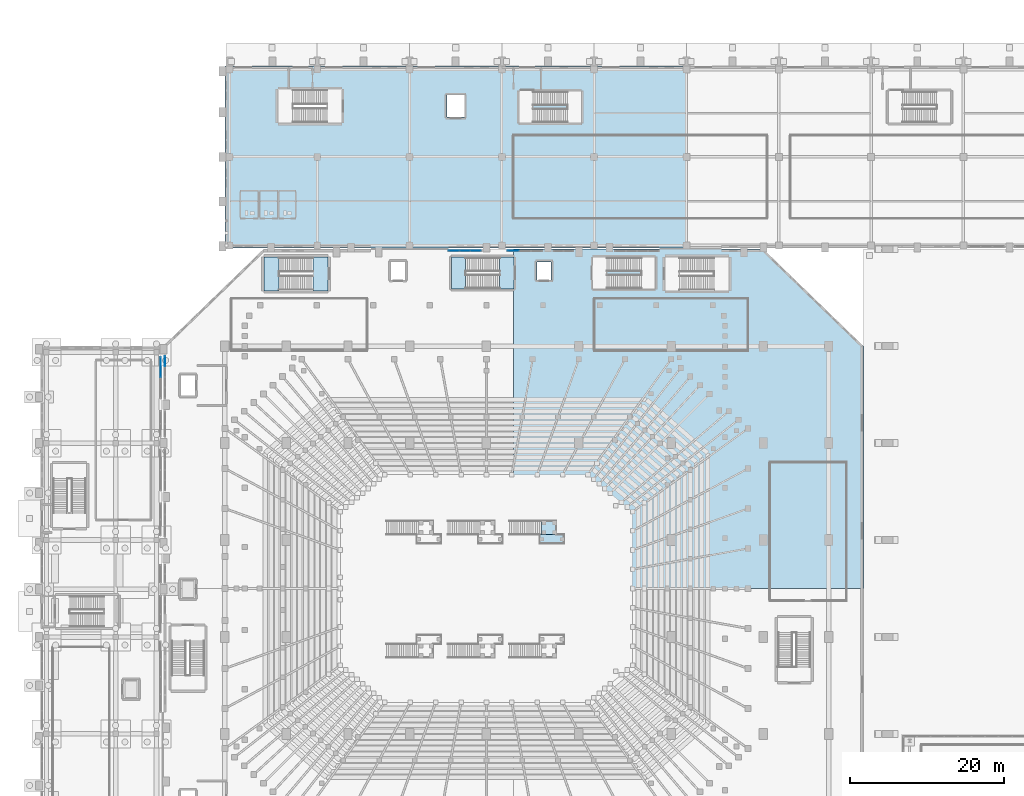
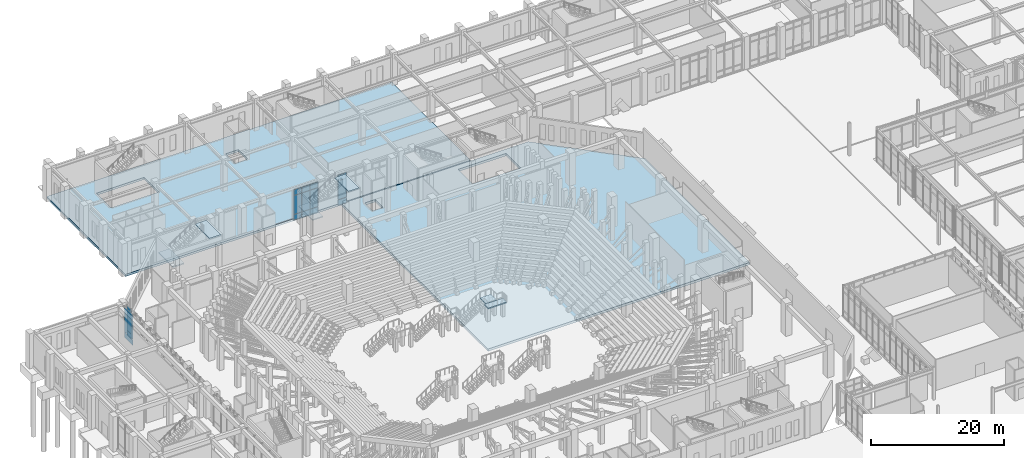
# One storey, part 85 of 143: 18 plates, 8 slabs, 7 elements without a shape of their own.
"""IFC4 building model written with IfcOpenShell, lengths in metres."""

from ifc_helpers import new_model, si_unit, derived_unit, direction, frame, origin, origin_2d, place, context, subcontext, project, spatial, polyline, rectangle, outline, extrude, material, layer, layer_set, type_object, element, aggregate, save


model = new_model("IFC4")

# Units and contexts
model_context = context("Model", 3, precision=1e-05, world=origin(), true_north=direction((0.0, 1.0)))
body_context = subcontext(model_context, "Body", "Model", "MODEL_VIEW")
ifc_project = project(units=[si_unit("LENGTHUNIT", "METRE"), si_unit("AREAUNIT", "SQUARE_METRE"), si_unit("VOLUMEUNIT", "CUBIC_METRE"), si_unit("PLANEANGLEUNIT", "RADIAN"), si_unit("MASSUNIT", "GRAM", prefix="KILO"), derived_unit("THERMALTRANSMITTANCEUNIT", [(si_unit("MASSUNIT", "GRAM", prefix="KILO"), 1), (si_unit("TIMEUNIT", "SECOND"), -3), (si_unit("THERMODYNAMICTEMPERATUREUNIT", "KELVIN"), -1)])], contexts=[model_context])

# Site, building, storey
site_placement = place(None, origin())
site = spatial("IfcSite", under=ifc_project, at=site_placement, CompositionType="ELEMENT")
building_placement = place(site_placement, origin())
building = spatial("IfcBuilding", under=site, at=building_placement, Name="Valcora Ridge Arena", CompositionType="ELEMENT")
storey_placement = place(building_placement, origin())
storey = spatial("IfcBuildingStorey", under=building, at=storey_placement, Name="L00", CompositionType="ELEMENT", Elevation=0.0)

# Stair, slabs
ifc_material_1 = material(Name="Concrete C40/50", Category="concrete")
stair_type_1 = type_object("IfcStairType", Name="TY-STAIR-ES03-60", PredefinedType="HALF_TURN_STAIR", material=ifc_material_1)
stair_1_placement = place(storey_placement, origin())
stair_1 = element("IfcStair", 1, at=stair_1_placement, inside=storey, type_object=stair_type_1, Name="ES03-60 STR-ES-0009", PredefinedType="HALF_TURN_STAIR")
ifc_layer_1 = layer(ifc_material_1, 0.199951171875, Name="Concrete C40/50")
ifc_layer_set_1 = layer_set([ifc_layer_1], Name="Concrete C40/50")
slab_type_1 = type_object("IfcSlabType", Name="TY-LAND-ES03-60", PredefinedType="LANDING", material=ifc_layer_set_1)
slab_1_placement = place(storey_placement, frame((0.0, 0.0, 2.800048828125)))
slab_1 = element("IfcSlab", 2, at=slab_1_placement, type_object=slab_type_1, Name="ES03-60 landing 1", PredefinedType="LANDING", context=body_context, shape_type="SweptSolid", body=[
    extrude(outline(polyline([(53.44189453125, 103.001953125), (55.280029296875, 103.001953125), (55.280029296875, 107.197998046875), (53.44189453125, 107.197998046875), (53.44189453125, 103.001953125)])), origin(), (0.0, 0.0, 1.0), 0.199951171875),
])
slab_2_placement = place(storey_placement, frame((0.0, 0.0, 5.800048828125)))
slab_2 = element("IfcSlab", 3, at=slab_2_placement, type_object=slab_type_1, Name="ES03-60 landing 2", PredefinedType="LANDING", context=body_context, shape_type="SweptSolid", body=[
    extrude(outline(polyline([(59.719970703125, 103.001953125), (61.597900390625, 103.001953125), (61.597900390625, 107.197998046875), (59.719970703125, 107.197998046875), (59.719970703125, 103.001953125)])), origin(), (0.0, 0.0, 1.0), 0.199951171875),
])
aggregate(stair_1, [slab_1, slab_2])

stair_type_2 = type_object("IfcStairType", Name="TY-STAIR-ST03-60", PredefinedType="HALF_TURN_STAIR", material=ifc_material_1)
stair_2_placement = place(storey_placement, origin())
stair_2 = element("IfcStair", 4, at=stair_2_placement, inside=storey, type_object=stair_type_2, Name="ST03-60 STR-CR-0013", PredefinedType="HALF_TURN_STAIR")
ifc_layer_2 = layer(ifc_material_1, 0.199951171875, Name="Concrete C40/50")
ifc_layer_set_2 = layer_set([ifc_layer_2], Name="Concrete C40/50")
slab_type_2 = type_object("IfcSlabType", Name="TY-LAND-ST03-60", PredefinedType="LANDING", material=ifc_layer_set_2)
slab_3_placement = place(storey_placement, frame((0.0, 0.0, 2.800048828125)))
slab_3 = element("IfcSlab", 5, at=slab_3_placement, type_object=slab_type_2, Name="ST03-60 landing 1", PredefinedType="LANDING", context=body_context, shape_type="SweptSolid", body=[
    extrude(outline(polyline([(29.08203125, 102.802001953125), (31.030029296875, 102.802001953125), (31.030029296875, 107.197998046875), (29.08203125, 107.197998046875), (29.08203125, 102.802001953125)])), origin(), (0.0, 0.0, 1.0), 0.199951171875),
])
slab_4_placement = place(storey_placement, frame((0.0, 0.0, 5.800048828125)))
slab_4 = element("IfcSlab", 6, at=slab_4_placement, type_object=slab_type_2, Name="ST03-60 landing 2", PredefinedType="LANDING", context=body_context, shape_type="SweptSolid", body=[
    extrude(outline(polyline([(35.469970703125, 102.802001953125), (37.39794921875, 102.802001953125), (37.39794921875, 107.197998046875), (35.469970703125, 107.197998046875), (35.469970703125, 102.802001953125)])), origin(), (0.0, 0.0, 1.0), 0.199951171875),
])
aggregate(stair_2, [slab_3, slab_4])

# Stair, slab
stair_type_3 = type_object("IfcStairType", Name="TY-STAIR-VS-LOW-280", PredefinedType="STRAIGHT_RUN_STAIR", material=ifc_material_1)
stair_3_placement = place(storey_placement, origin())
stair_3 = element("IfcStair", 7, at=stair_3_placement, inside=storey, type_object=stair_type_3, Name="Vomitory Stair VS-ST6 (VS-LOW-280)", PredefinedType="STRAIGHT_RUN_STAIR")
ifc_layer_3 = layer(ifc_material_1, 0.199951171875, Name="Concrete C40/50")
ifc_layer_set_3 = layer_set([ifc_layer_3], Name="Concrete C40/50")
slab_type_3 = type_object("IfcSlabType", Name="TY-LAND-VS-LOW", PredefinedType="LANDING", material=ifc_layer_set_3)
slab_5_placement = place(storey_placement, frame((0.0, 0.0, 2.60009765625)))
slab_5 = element("IfcSlab", 8, at=slab_5_placement, type_object=slab_type_3, Name="VS-LOW-280 landing 1", PredefinedType="LANDING", context=body_context, shape_type="SweptSolid", body=[
    extrude(outline(polyline([(65.179931640625, 71.10009765625), (67.10009765625, 71.10009765625), (67.10009765625, 72.89990234375), (65.179931640625, 72.89990234375), (65.179931640625, 71.10009765625)])), origin(), (0.0, 0.0, 1.0), 0.199951171875),
])
aggregate(stair_3, [slab_5])

# Curtain wall, plates
ifc_material_2 = material(Name="Anodised dark bronze architectural aluminium 6063-T6", Category="aluminium")
ifc_layer_4 = layer(ifc_material_2, 0.179931640625, Name="Anodised dark bronze architectural aluminium 6063-T6")
ifc_layer_set_4 = layer_set([ifc_layer_4], Name="Anodised dark bronze architectural aluminium 6063-T6")
curtain_wall_type_1 = type_object("IfcCurtainWallType", Name="TY-CURTAINWALL-CW-V1-GOTH-055X56", PredefinedType="NOTDEFINED", material=ifc_layer_set_4)
curtain_wall_1_placement = place(storey_placement, origin())
curtain_wall_1 = element("IfcCurtainWall", 9, at=curtain_wall_1_placement, inside=storey, type_object=curtain_wall_type_1, Name="CW-V1-GOTH-055X56 CW-0087", PredefinedType="NOTDEFINED")
ifc_material_3 = material(Name="Low-iron solar-control double glazing SHGC 0.28", Category="glass")
ifc_layer_5 = layer(ifc_material_3, 0.031982421875, Name="Low-iron solar-control double glazing SHGC 0.28")
ifc_layer_set_5 = layer_set([ifc_layer_5], Name="Low-iron solar-control double glazing SHGC 0.28")
plate_type_1 = type_object("IfcPlateType", Name="TY-PLT-CWP-1290X0960", PredefinedType="CURTAIN_PANEL", material=ifc_layer_set_5)
plate_1_placement = place(storey_placement, frame((16.199951171875, 93.655029296875, 0.06005859375), z_axis=(0.0, 0.0, 1.0), x_axis=(0.0, 1.0, 0.0)))
plate_1 = element("IfcPlate", 10, at=plate_1_placement, type_object=plate_type_1, Name="CW-0087/P03-00", PredefinedType="CURTAIN_PANEL", context=body_context, shape_type="SweptSolid", body=[
    extrude(rectangle(XDim=1.2900390625, YDim=0.031982421875, at=origin_2d()), origin(), (0.0, 0.0, 1.0), 0.9599609375),
])
ifc_layer_6 = layer(ifc_material_3, 0.031982421875, Name="Low-iron solar-control double glazing SHGC 0.28")
ifc_layer_set_6 = layer_set([ifc_layer_6], Name="Low-iron solar-control double glazing SHGC 0.28")
plate_type_2 = type_object("IfcPlateType", Name="TY-PLT-CWP-1290X1010", PredefinedType="CURTAIN_PANEL", material=ifc_layer_set_6)
plate_2_placement = place(storey_placement, frame((16.199951171875, 93.655029296875, 4.56982421875), z_axis=(0.0, 0.0, 1.0), x_axis=(0.0, 1.0, 0.0)))
plate_2 = element("IfcPlate", 11, at=plate_2_placement, type_object=plate_type_2, Name="CW-0087/P03-02", PredefinedType="CURTAIN_PANEL", context=body_context, shape_type="SweptSolid", body=[
    extrude(rectangle(XDim=1.2900390625, YDim=0.031982421875, at=origin_2d()), origin(), (0.0, 0.0, 1.0), 1.010009765625),
])
ifc_layer_7 = layer(ifc_material_3, 0.031982421875, Name="Low-iron solar-control double glazing SHGC 0.28")
ifc_layer_set_7 = layer_set([ifc_layer_7], Name="Low-iron solar-control double glazing SHGC 0.28")
plate_type_3 = type_object("IfcPlateType", Name="TY-PLT-CWP-1290X3430", PredefinedType="CURTAIN_PANEL", material=ifc_layer_set_7)
plate_3_placement = place(storey_placement, frame((16.199951171875, 93.655029296875, 1.080078125), z_axis=(0.0, 0.0, 1.0), x_axis=(0.0, 1.0, 0.0)))
plate_3 = element("IfcPlate", 12, at=plate_3_placement, type_object=plate_type_3, Name="CW-0087/P03-01", PredefinedType="CURTAIN_PANEL", context=body_context, shape_type="SweptSolid", body=[
    extrude(rectangle(XDim=1.2900390625, YDim=0.031982421875, at=origin_2d()), origin(), (0.0, 0.0, 1.0), 3.429931640625),
])
aggregate(curtain_wall_1, [plate_1, plate_3, plate_2])

ifc_layer_8 = layer(ifc_material_2, 0.179931640625, Name="Anodised dark bronze architectural aluminium 6063-T6")
ifc_layer_set_8 = layer_set([ifc_layer_8], Name="Anodised dark bronze architectural aluminium 6063-T6")
curtain_wall_type_2 = type_object("IfcCurtainWallType", Name="TY-CURTAINWALL-CW-V1-GOTH-043X56", PredefinedType="NOTDEFINED", material=ifc_layer_set_8)
curtain_wall_2_placement = place(storey_placement, origin())
curtain_wall_2 = element("IfcCurtainWall", 13, at=curtain_wall_2_placement, inside=storey, type_object=curtain_wall_type_2, Name="CW-V1-GOTH-043X56 CW-0088", PredefinedType="NOTDEFINED")
ifc_layer_9 = layer(ifc_material_3, 0.031982421875, Name="Low-iron solar-control double glazing SHGC 0.28")
ifc_layer_set_9 = layer_set([ifc_layer_9], Name="Low-iron solar-control double glazing SHGC 0.28")
plate_type_4 = type_object("IfcPlateType", Name="TY-PLT-CWP-1330X0960", PredefinedType="CURTAIN_PANEL", material=ifc_layer_set_9)
plate_4_placement = place(storey_placement, frame((53.77490234375, 108.0, 0.06005859375), z_axis=(0.0, 0.0, 1.0), x_axis=(1.0, 0.0, 0.0)))
plate_4 = element("IfcPlate", 14, at=plate_4_placement, type_object=plate_type_4, Name="CW-0088/P00-00", PredefinedType="CURTAIN_PANEL", context=body_context, shape_type="SweptSolid", body=[
    extrude(rectangle(XDim=1.330078125, YDim=0.031982421875, at=origin_2d()), origin(), (0.0, 0.0, 1.0), 0.9599609375),
])
plate_5_placement = place(storey_placement, frame((56.5849609375, 108.0, 0.06005859375), z_axis=(0.0, 0.0, 1.0), x_axis=(1.0, 0.0, 0.0)))
plate_5 = element("IfcPlate", 15, at=plate_5_placement, type_object=plate_type_4, Name="CW-0088/P02-00", PredefinedType="CURTAIN_PANEL", context=body_context, shape_type="SweptSolid", body=[
    extrude(rectangle(XDim=1.330078125, YDim=0.031982421875, at=origin_2d()), origin(), (0.0, 0.0, 1.0), 0.9599609375),
])
ifc_layer_10 = layer(ifc_material_3, 0.031982421875, Name="Low-iron solar-control double glazing SHGC 0.28")
ifc_layer_set_10 = layer_set([ifc_layer_10], Name="Low-iron solar-control double glazing SHGC 0.28")
plate_type_5 = type_object("IfcPlateType", Name="TY-PLT-CWP-1330X1010", PredefinedType="CURTAIN_PANEL", material=ifc_layer_set_10)
plate_6_placement = place(storey_placement, frame((53.77490234375, 108.0, 4.56982421875), z_axis=(0.0, 0.0, 1.0), x_axis=(1.0, 0.0, 0.0)))
plate_6 = element("IfcPlate", 16, at=plate_6_placement, type_object=plate_type_5, Name="CW-0088/P00-02", PredefinedType="CURTAIN_PANEL", context=body_context, shape_type="SweptSolid", body=[
    extrude(rectangle(XDim=1.330078125, YDim=0.031982421875, at=origin_2d()), origin(), (0.0, 0.0, 1.0), 1.010009765625),
])
plate_7_placement = place(storey_placement, frame((56.5849609375, 108.0, 4.56982421875), z_axis=(0.0, 0.0, 1.0), x_axis=(1.0, 0.0, 0.0)))
plate_7 = element("IfcPlate", 17, at=plate_7_placement, type_object=plate_type_5, Name="CW-0088/P02-02", PredefinedType="CURTAIN_PANEL", context=body_context, shape_type="SweptSolid", body=[
    extrude(rectangle(XDim=1.330078125, YDim=0.031982421875, at=origin_2d()), origin(), (0.0, 0.0, 1.0), 1.010009765625),
])
ifc_layer_11 = layer(ifc_material_3, 0.031982421875, Name="Low-iron solar-control double glazing SHGC 0.28")
ifc_layer_set_11 = layer_set([ifc_layer_11], Name="Low-iron solar-control double glazing SHGC 0.28")
plate_type_6 = type_object("IfcPlateType", Name="TY-PLT-CWP-1330X3430", PredefinedType="CURTAIN_PANEL", material=ifc_layer_set_11)
plate_8_placement = place(storey_placement, frame((53.77490234375, 108.0, 1.080078125), z_axis=(0.0, 0.0, 1.0), x_axis=(1.0, 0.0, 0.0)))
plate_8 = element("IfcPlate", 18, at=plate_8_placement, type_object=plate_type_6, Name="CW-0088/P00-01", PredefinedType="CURTAIN_PANEL", context=body_context, shape_type="SweptSolid", body=[
    extrude(rectangle(XDim=1.330078125, YDim=0.031982421875, at=origin_2d()), origin(), (0.0, 0.0, 1.0), 3.429931640625),
])
plate_9_placement = place(storey_placement, frame((56.5849609375, 108.0, 1.080078125), z_axis=(0.0, 0.0, 1.0), x_axis=(1.0, 0.0, 0.0)))
plate_9 = element("IfcPlate", 19, at=plate_9_placement, type_object=plate_type_6, Name="CW-0088/P02-01", PredefinedType="CURTAIN_PANEL", context=body_context, shape_type="SweptSolid", body=[
    extrude(rectangle(XDim=1.330078125, YDim=0.031982421875, at=origin_2d()), origin(), (0.0, 0.0, 1.0), 3.429931640625),
])
ifc_layer_12 = layer(ifc_material_3, 0.031982421875, Name="Low-iron solar-control double glazing SHGC 0.28")
ifc_layer_set_12 = layer_set([ifc_layer_12], Name="Low-iron solar-control double glazing SHGC 0.28")
plate_type_7 = type_object("IfcPlateType", Name="TY-PLT-CWP-1360X0960", PredefinedType="CURTAIN_PANEL", material=ifc_layer_set_12)
plate_10_placement = place(storey_placement, frame((55.179931640625, 108.0, 0.06005859375), z_axis=(0.0, 0.0, 1.0), x_axis=(1.0, 0.0, 0.0)))
plate_10 = element("IfcPlate", 20, at=plate_10_placement, type_object=plate_type_7, Name="CW-0088/P01-00", PredefinedType="CURTAIN_PANEL", context=body_context, shape_type="SweptSolid", body=[
    extrude(rectangle(XDim=1.360107421875, YDim=0.031982421875, at=origin_2d()), origin(), (0.0, 0.0, 1.0), 0.9599609375),
])
ifc_layer_13 = layer(ifc_material_3, 0.031982421875, Name="Low-iron solar-control double glazing SHGC 0.28")
ifc_layer_set_13 = layer_set([ifc_layer_13], Name="Low-iron solar-control double glazing SHGC 0.28")
plate_type_8 = type_object("IfcPlateType", Name="TY-PLT-CWP-1360X1010", PredefinedType="CURTAIN_PANEL", material=ifc_layer_set_13)
plate_11_placement = place(storey_placement, frame((55.179931640625, 108.0, 4.56982421875), z_axis=(0.0, 0.0, 1.0), x_axis=(1.0, 0.0, 0.0)))
plate_11 = element("IfcPlate", 21, at=plate_11_placement, type_object=plate_type_8, Name="CW-0088/P01-02", PredefinedType="CURTAIN_PANEL", context=body_context, shape_type="SweptSolid", body=[
    extrude(rectangle(XDim=1.360107421875, YDim=0.031982421875, at=origin_2d()), origin(), (0.0, 0.0, 1.0), 1.010009765625),
])
ifc_layer_14 = layer(ifc_material_3, 0.031982421875, Name="Low-iron solar-control double glazing SHGC 0.28")
ifc_layer_set_14 = layer_set([ifc_layer_14], Name="Low-iron solar-control double glazing SHGC 0.28")
plate_type_9 = type_object("IfcPlateType", Name="TY-PLT-CWP-1360X3430", PredefinedType="CURTAIN_PANEL", material=ifc_layer_set_14)
plate_12_placement = place(storey_placement, frame((55.179931640625, 108.0, 1.080078125), z_axis=(0.0, 0.0, 1.0), x_axis=(1.0, 0.0, 0.0)))
plate_12 = element("IfcPlate", 22, at=plate_12_placement, type_object=plate_type_9, Name="CW-0088/P01-01", PredefinedType="CURTAIN_PANEL", context=body_context, shape_type="SweptSolid", body=[
    extrude(rectangle(XDim=1.360107421875, YDim=0.031982421875, at=origin_2d()), origin(), (0.0, 0.0, 1.0), 3.429931640625),
])
aggregate(curtain_wall_2, [plate_4, plate_8, plate_6, plate_10, plate_12, plate_11, plate_5, plate_9, plate_7])

ifc_layer_15 = layer(ifc_material_2, 0.179931640625, Name="Anodised dark bronze architectural aluminium 6063-T6")
ifc_layer_set_15 = layer_set([ifc_layer_15], Name="Anodised dark bronze architectural aluminium 6063-T6")
curtain_wall_type_3 = type_object("IfcCurtainWallType", Name="TY-CURTAINWALL-CW-V1-GOTH-046X56", PredefinedType="NOTDEFINED", material=ifc_layer_set_15)
curtain_wall_3_placement = place(storey_placement, origin())
curtain_wall_3 = element("IfcCurtainWall", 23, at=curtain_wall_3_placement, inside=storey, type_object=curtain_wall_type_3, Name="CW-V1-GOTH-046X56 CW-0089", PredefinedType="NOTDEFINED")
ifc_layer_16 = layer(ifc_material_3, 0.031982421875, Name="Low-iron solar-control double glazing SHGC 0.28")
ifc_layer_set_16 = layer_set([ifc_layer_16], Name="Low-iron solar-control double glazing SHGC 0.28")
plate_type_10 = type_object("IfcPlateType", Name="TY-PLT-CWP-1450X0960", PredefinedType="CURTAIN_PANEL", material=ifc_layer_set_16)
plate_13_placement = place(storey_placement, frame((61.47509765625, 108.0, 0.06005859375), z_axis=(0.0, 0.0, 1.0), x_axis=(1.0, 0.0, 0.0)))
plate_13 = element("IfcPlate", 24, at=plate_13_placement, type_object=plate_type_10, Name="CW-0089/P00-00", PredefinedType="CURTAIN_PANEL", context=body_context, shape_type="SweptSolid", body=[
    extrude(rectangle(XDim=1.449951171875, YDim=0.031982421875, at=origin_2d()), origin(), (0.0, 0.0, 1.0), 0.9599609375),
])
ifc_layer_17 = layer(ifc_material_3, 0.031982421875, Name="Low-iron solar-control double glazing SHGC 0.28")
ifc_layer_set_17 = layer_set([ifc_layer_17], Name="Low-iron solar-control double glazing SHGC 0.28")
plate_type_11 = type_object("IfcPlateType", Name="TY-PLT-CWP-1450X1010", PredefinedType="CURTAIN_PANEL", material=ifc_layer_set_17)
plate_14_placement = place(storey_placement, frame((61.47509765625, 108.0, 4.56982421875), z_axis=(0.0, 0.0, 1.0), x_axis=(1.0, 0.0, 0.0)))
plate_14 = element("IfcPlate", 25, at=plate_14_placement, type_object=plate_type_11, Name="CW-0089/P00-02", PredefinedType="CURTAIN_PANEL", context=body_context, shape_type="SweptSolid", body=[
    extrude(rectangle(XDim=1.449951171875, YDim=0.031982421875, at=origin_2d()), origin(), (0.0, 0.0, 1.0), 1.010009765625),
])
ifc_layer_18 = layer(ifc_material_3, 0.031982421875, Name="Low-iron solar-control double glazing SHGC 0.28")
ifc_layer_set_18 = layer_set([ifc_layer_18], Name="Low-iron solar-control double glazing SHGC 0.28")
plate_type_12 = type_object("IfcPlateType", Name="TY-PLT-CWP-1450X3430", PredefinedType="CURTAIN_PANEL", material=ifc_layer_set_18)
plate_15_placement = place(storey_placement, frame((61.47509765625, 108.0, 1.080078125), z_axis=(0.0, 0.0, 1.0), x_axis=(1.0, 0.0, 0.0)))
plate_15 = element("IfcPlate", 26, at=plate_15_placement, type_object=plate_type_12, Name="CW-0089/P00-01", PredefinedType="CURTAIN_PANEL", context=body_context, shape_type="SweptSolid", body=[
    extrude(rectangle(XDim=1.449951171875, YDim=0.031982421875, at=origin_2d()), origin(), (0.0, 0.0, 1.0), 3.429931640625),
])
aggregate(curtain_wall_3, [plate_13, plate_15, plate_14])

ifc_layer_19 = layer(ifc_material_2, 0.14990234375, Name="Anodised dark bronze architectural aluminium 6063-T6")
ifc_layer_set_19 = layer_set([ifc_layer_19], Name="Anodised dark bronze architectural aluminium 6063-T6")
curtain_wall_type_4 = type_object("IfcCurtainWallType", Name="TY-CURTAINWALL-CW-V4-CLUB-054X56", PredefinedType="NOTDEFINED", material=ifc_layer_set_19)
curtain_wall_4_placement = place(storey_placement, origin())
curtain_wall_4 = element("IfcCurtainWall", 27, at=curtain_wall_4_placement, inside=storey, type_object=curtain_wall_type_4, Name="CW-V4-CLUB-054X56 CW-0203", PredefinedType="NOTDEFINED")
ifc_layer_20 = layer(ifc_material_3, 0.028076171875, Name="Low-iron solar-control double glazing SHGC 0.28")
ifc_layer_set_20 = layer_set([ifc_layer_20], Name="Low-iron solar-control double glazing SHGC 0.28")
plate_type_13 = type_object("IfcPlateType", Name="TY-PLT-CWP-2610X0975", PredefinedType="CURTAIN_PANEL", material=ifc_layer_set_20)
plate_16_placement = place(storey_placement, frame((15.64990234375, 92.85498046875, 0.050048828125), z_axis=(0.0, 0.0, 1.0), x_axis=(0.0, 1.0, 0.0)))
plate_16 = element("IfcPlate", 28, at=plate_16_placement, type_object=plate_type_13, Name="CW-0203/P01-00", PredefinedType="CURTAIN_PANEL", context=body_context, shape_type="SweptSolid", body=[
    extrude(rectangle(XDim=2.610107421875, YDim=0.028076171875, at=origin_2d()), origin(), (0.0, 0.0, 1.0), 0.97509765625),
])
ifc_layer_21 = layer(ifc_material_3, 0.028076171875, Name="Low-iron solar-control double glazing SHGC 0.28")
ifc_layer_set_21 = layer_set([ifc_layer_21], Name="Low-iron solar-control double glazing SHGC 0.28")
plate_type_14 = type_object("IfcPlateType", Name="TY-PLT-CWP-2610X1025", PredefinedType="CURTAIN_PANEL", material=ifc_layer_set_21)
plate_17_placement = place(storey_placement, frame((15.64990234375, 92.85498046875, 4.56494140625), z_axis=(0.0, 0.0, 1.0), x_axis=(0.0, 1.0, 0.0)))
plate_17 = element("IfcPlate", 29, at=plate_17_placement, type_object=plate_type_14, Name="CW-0203/P01-02", PredefinedType="CURTAIN_PANEL", context=body_context, shape_type="SweptSolid", body=[
    extrude(rectangle(XDim=2.610107421875, YDim=0.028076171875, at=origin_2d()), origin(), (0.0, 0.0, 1.0), 1.02490234375),
])
ifc_layer_22 = layer(ifc_material_3, 0.028076171875, Name="Low-iron solar-control double glazing SHGC 0.28")
ifc_layer_set_22 = layer_set([ifc_layer_22], Name="Low-iron solar-control double glazing SHGC 0.28")
plate_type_15 = type_object("IfcPlateType", Name="TY-PLT-CWP-2610X3440", PredefinedType="CURTAIN_PANEL", material=ifc_layer_set_22)
plate_18_placement = place(storey_placement, frame((15.64990234375, 92.85498046875, 1.074951171875), z_axis=(0.0, 0.0, 1.0), x_axis=(0.0, 1.0, 0.0)))
plate_18 = element("IfcPlate", 30, at=plate_18_placement, type_object=plate_type_15, Name="CW-0203/P01-01", PredefinedType="CURTAIN_PANEL", context=body_context, shape_type="SweptSolid", body=[
    extrude(rectangle(XDim=2.610107421875, YDim=0.028076171875, at=origin_2d()), origin(), (0.0, 0.0, 1.0), 3.43994140625),
])
aggregate(curtain_wall_4, [plate_16, plate_18, plate_17])

# Slabs
ifc_layer_23 = layer(ifc_material_1, 0.39990234375, Name="Concrete C40/50")
ifc_layer_set_23 = layer_set([ifc_layer_23], Name="Concrete C40/50")
slab_type_4 = type_object("IfcSlabType", Name="TY-SLAB-SL-DCK-400-W", PredefinedType="FLOOR", material=ifc_layer_set_23)
slab_6_placement = place(storey_placement, frame((0.0, 0.0, -0.39990234375)))
element("IfcSlab", 31, at=slab_6_placement, inside=storey, type_object=slab_type_4, Name="SL-DCK-400-W SLB-0017", PredefinedType="FLOOR", context=body_context, shape_type="SweptSolid", body=[
    extrude(outline(polyline([(24.0, 132.0), (24.0, 108.35009765625), (84.0, 108.35009765625), (84.0, 132.0), (24.0, 132.0)]), holes=[polyline([(30.8798828125, 129.0), (30.8798828125, 124.60009765625), (39.199951171875, 124.60009765625), (39.199951171875, 129.0), (30.8798828125, 129.0)]), polyline([(52.8798828125, 128.219970703125), (52.8798828125, 125.3798828125), (55.1201171875, 125.3798828125), (55.1201171875, 128.219970703125), (52.8798828125, 128.219970703125)])]), origin(), (0.0, 0.0, 1.0), 0.39990234375),
])
ifc_layer_24 = layer(ifc_material_1, 0.43994140625, Name="Concrete C40/50")
ifc_layer_set_24 = layer_set([ifc_layer_24], Name="Concrete C40/50")
slab_type_5 = type_object("IfcSlabType", Name="TY-SLAB-SL-EVT-380-NE", PredefinedType="FLOOR", material=ifc_layer_set_24)
slab_7_placement = place(storey_placement, frame((0.0, 0.0, -0.43994140625)))
element("IfcSlab", 32, at=slab_7_placement, inside=storey, type_object=slab_type_5, Name="SL-EVT-380-NE SLB-0014", PredefinedType="FLOOR", context=body_context, shape_type="SweptSolid", body=[
    extrude(outline(polyline([(94.0, 108.199951171875), (61.5, 108.199951171875), (61.5, 64.10009765625), (107.0, 64.10009765625), (107.0, 95.60009765625), (94.0, 108.199951171875)]), holes=[polyline([(89.52001953125, 102.800048828125), (89.52001953125, 107.199951171875), (81.199951171875, 107.199951171875), (81.199951171875, 102.800048828125), (89.52001953125, 102.800048828125)]), polyline([(64.580078125, 106.570068359375), (64.580078125, 104.22998046875), (66.419921875, 104.22998046875), (66.419921875, 106.570068359375), (64.580078125, 106.570068359375)])]), origin(), (0.0, 0.0, 1.0), 0.43994140625),
])
ifc_material_4 = material(Name="Precast concrete C45/55", Category="concrete")
ifc_layer_25 = layer(ifc_material_4, 0.199951171875, Name="Precast concrete C45/55")
ifc_layer_set_25 = layer_set([ifc_layer_25], Name="Precast concrete C45/55")
slab_type_6 = type_object("IfcSlabType", Name="TY-SLAB-ST-LOW-VOM", PredefinedType="USERDEFINED", material=ifc_layer_set_25)
slab_8_placement = place(storey_placement, frame((0.0, 0.0, 2.60009765625)))
element("IfcSlab", 33, at=slab_8_placement, inside=storey, type_object=slab_type_6, Name="ST-LOW-VOM SLB-TR-0598", ObjectType="SEATING TIER", PredefinedType="USERDEFINED", context=body_context, shape_type="SweptSolid", body=[
    extrude(outline(polyline([(64.89990234375, 69.89990234375), (68.10009765625, 69.89990234375), (68.10009765625, 71.10009765625), (64.89990234375, 71.10009765625), (64.89990234375, 69.89990234375)])), origin(), (0.0, 0.0, 1.0), 0.199951171875),
])

save(model, "model.ifc")
